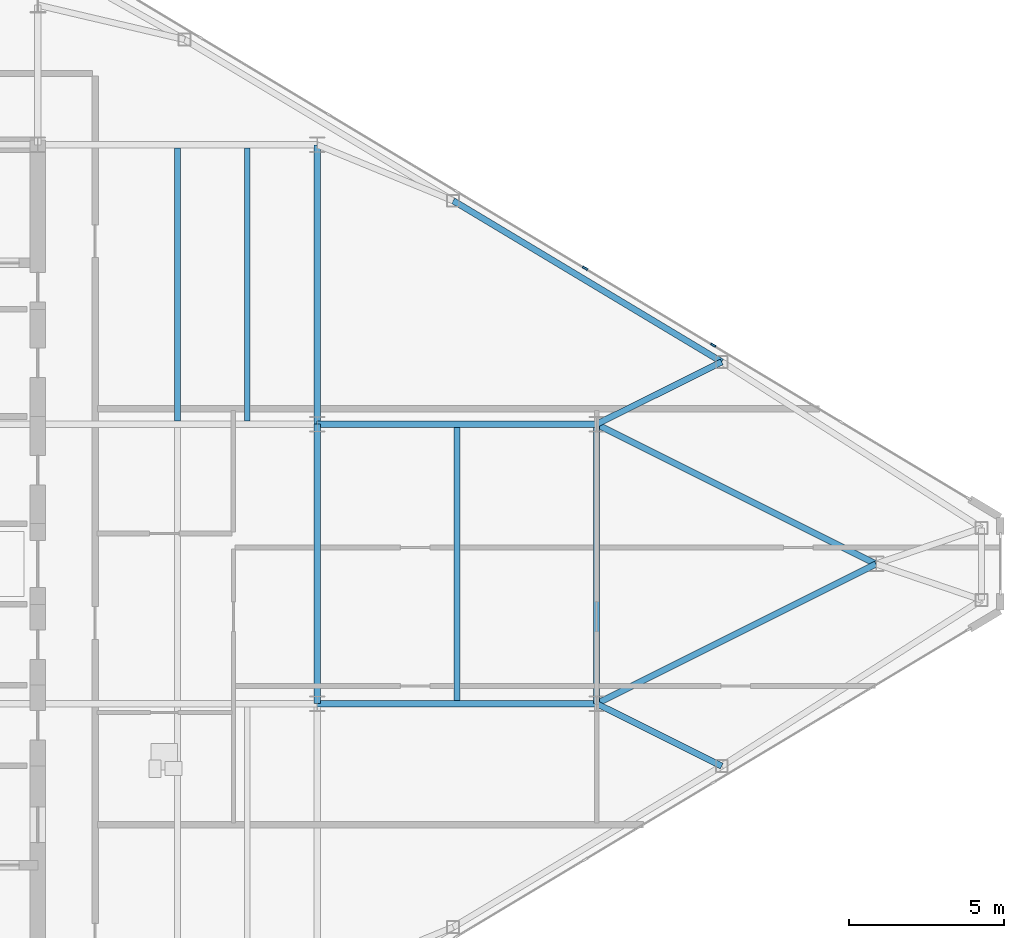
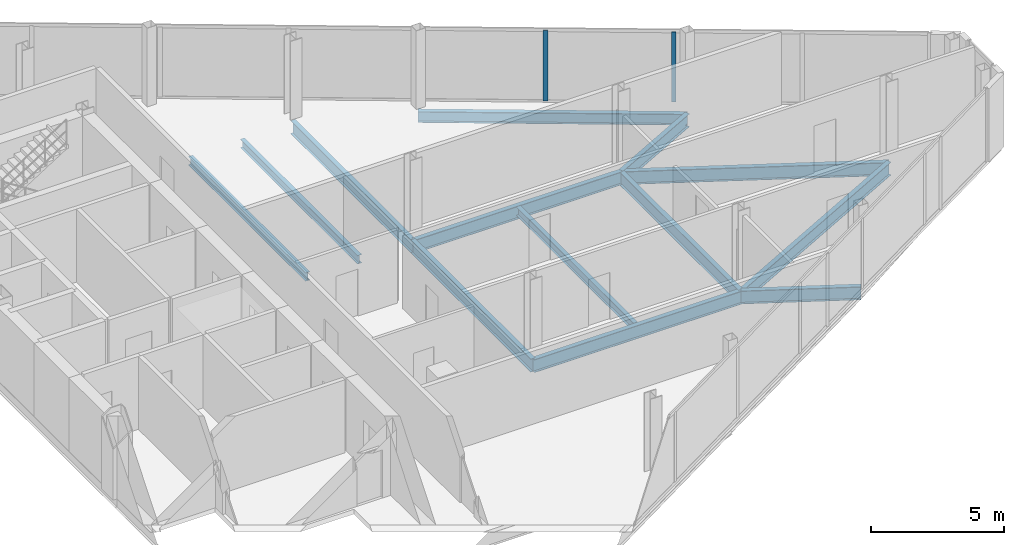
# One storey, part 14 of 26: 13 beams, 2 members, 1 element without a shape of its own.
"""IFC4 building model written with IfcOpenShell, lengths in metres."""

from ifc_helpers import new_model, si_unit, direction, frame, origin, origin_2d, place, context, subcontext, project, spatial, rectangle, i_section, extrude, source, transform, mapped, material, layer, layer_set, material_profile, profile_set, type_object, type_shapes, element, aggregate, save


model = new_model("IFC4")

# Units and contexts
model_context = context("Model", 3, precision=1e-05, world=origin(), true_north=direction((0.0, 1.0)))
body_context = subcontext(model_context, "Body", "Model", "MODEL_VIEW")
ifc_project = project(units=[si_unit("LENGTHUNIT", "METRE"), si_unit("AREAUNIT", "SQUARE_METRE"), si_unit("VOLUMEUNIT", "CUBIC_METRE"), si_unit("PLANEANGLEUNIT", "RADIAN"), si_unit("MASSUNIT", "GRAM", prefix="KILO")], contexts=[model_context])

# Site, building, storey
site_placement = place(None, origin())
site = spatial("IfcSite", under=ifc_project, at=site_placement, CompositionType="ELEMENT")
building_placement = place(site_placement, origin())
building = spatial("IfcBuilding", under=site, at=building_placement, Name="Seokmaru Belvedere", CompositionType="ELEMENT")
storey_placement = place(building_placement, frame((0.0, 0.0, 221.10009765625)))
storey = spatial("IfcBuildingStorey", under=building, at=storey_placement, Name="L59", CompositionType="ELEMENT", Elevation=221.10009765625)

# Beams
ifc_material_1 = material(Name="Steel SM355 (355 MPa)", Category="steel")
ifc_material_profile_1 = material_profile(ifc_material_1, i_section(OverallWidth=0.199951171875, OverallDepth=0.60009765625, WebThickness=0.010986328125, FlangeThickness=0.01708984375, at=origin_2d()), Name="H-600x200x11x17")
ifc_profile_set_1 = profile_set([ifc_material_profile_1], Name="Steel SM355 (355 MPa)")
beam_type_1 = type_object("IfcBeamType", Name="Primary Floor Girder H-600", PredefinedType="BEAM", material=ifc_profile_set_1)
shared_shape_1 = source(origin(), body_context, "Body", "SweptSolid", [
    extrude(i_section(OverallWidth=0.199951171875, OverallDepth=0.60009765625, WebThickness=0.010986328125, FlangeThickness=0.01708984375, at=origin_2d()), origin(), (0.0, 0.0, 1.0), 9.0),
])
for number, where, z_axis, x_axis, name in (
    (1, (45.5, -4.5, -0.52001953125), (0.0, 1.0, 0.0), (-1.0, 0.0, 0.0), "L59 E Interior Grid Girder 2"),
    (2, (45.5, 4.5, -0.52001953125), (0.0, 1.0, 0.0), (-1.0, 0.0, 0.0), "L59 E Interior Grid Girder 3"),
    (3, (45.5, -4.5, -0.52001953125), (1.0, 0.0, 0.0), (0.0, 1.0, 0.0), "L59 E Outer Wing Girder 1"),
    (4, (45.5, 4.5, -0.52001953125), (1.0, 0.0, 0.0), (0.0, 1.0, 0.0), "L59 E Outer Wing Girder 2"),
    (5, (54.5, -4.5, -0.52001953125), (0.0, 1.0, 0.0), (-1.0, 0.0, 0.0), "L59 E Apex Frame Girder"),
):
    element("IfcBeam", number, at=place(storey_placement, frame(where, z_axis=z_axis, x_axis=x_axis)), inside=storey, type_object=beam_type_1, Name=name, PredefinedType="BEAM", context=body_context, shape_type="MappedRepresentation", body=[
        mapped(shared_shape_1, transform((0.0, 0.0, 0.0), scale=1.0)),
    ])
shared_shape_2 = source(origin(), body_context, "Body", "SweptSolid", [
    extrude(i_section(OverallWidth=0.199951171875, OverallDepth=0.60009765625, WebThickness=0.010986328125, FlangeThickness=0.01708984375, at=origin_2d()), origin(), (0.0, 0.0, 1.0), 10.062255859375),
])
for number, where, z_axis, x_axis, name in (
    (6, (54.5, -4.5, -0.52001953125), (0.894427191, 0.4472135955, 0.0), (-0.4472135955, 0.894427191, 0.0), "L59 E Apex Converging Girder 1"),
    (7, (54.5, 4.5, -0.52001953125), (0.894427191, -0.4472135955, 0.0), (0.4472135955, 0.894427191, 0.0), "L59 E Apex Converging Girder 2"),
):
    element("IfcBeam", number, at=place(storey_placement, frame(where, z_axis=z_axis, x_axis=x_axis)), inside=storey, type_object=beam_type_1, Name=name, PredefinedType="BEAM", context=body_context, shape_type="MappedRepresentation", body=[
        mapped(shared_shape_2, transform((0.0, 0.0, 0.0), scale=1.0)),
    ])
ifc_material_profile_2 = material_profile(ifc_material_1, i_section(OverallWidth=0.18505859375, OverallDepth=0.389892578125, WebThickness=0.008056640625, FlangeThickness=0.011962890625, at=origin_2d()), Name="H-390x185x8x12")
ifc_profile_set_2 = profile_set([ifc_material_profile_2], Name="Steel SM355 (355 MPa)")
beam_type_2 = type_object("IfcBeamType", Name="Secondary Floor Joist H-350", PredefinedType="JOIST", material=ifc_profile_set_2)
shared_shape_3 = source(origin(), body_context, "Body", "SweptSolid", [
    extrude(i_section(OverallWidth=0.18505859375, OverallDepth=0.389892578125, WebThickness=0.008056640625, FlangeThickness=0.011962890625, at=origin_2d()), origin(), (0.0, 0.0, 1.0), 8.7900390625),
])
type_shapes(beam_type_2, [shared_shape_3])
for number, where, z_axis, x_axis, name in (
    (8, (43.25, 4.60498046875, -0.4150390625), (0.0, 1.0, 0.0), (-1.0, 0.0, 0.0), "L59 E Wing Inner Secondary Joist 2"),
    (9, (41.0, 4.60498046875, -0.4150390625), (0.0, 1.0, 0.0), (-1.0, 0.0, 0.0), "L59 E Secondary Floor Joist 3"),
    (10, (50.0, -4.39501953125, -0.4150390625), (0.0, 1.0, 0.0), (-1.0, 0.0, 0.0), "L59 E Outer Bay Secondary Joist"),
):
    element("IfcBeam", number, at=place(storey_placement, frame(where, z_axis=z_axis, x_axis=x_axis)), inside=storey, type_object=beam_type_2, Name=name, PredefinedType="JOIST", context=body_context, shape_type="MappedRepresentation", body=[
        mapped(shared_shape_3, transform((0.0, 0.0, 0.0), scale=1.0)),
    ])
ifc_material_profile_3 = material_profile(ifc_material_1, i_section(OverallWidth=0.199951171875, OverallDepth=0.5, WebThickness=0.010009765625, FlangeThickness=0.01611328125, at=origin_2d()), Name="H-500x200x10x16")
ifc_profile_set_3 = profile_set([ifc_material_profile_3], Name="Steel SM355 (355 MPa)")
beam_type_3 = type_object("IfcBeamType", Name="Perimeter Spandrel Beam H-500", PredefinedType="SPANDREL", material=ifc_profile_set_3)
shared_shape_4 = source(origin(), body_context, "Body", "SweptSolid", [
    extrude(i_section(OverallWidth=0.199951171875, OverallDepth=0.5, WebThickness=0.010009765625, FlangeThickness=0.01611328125, at=origin_2d()), origin(), (0.0, 0.0, 1.0), 10.087646484375),
])
type_shapes(beam_type_3, [shared_shape_4])
beam_placement = place(storey_placement, frame((49.8798828125, 11.698974609375, -0.47021484375), z_axis=(0.857488654804, -0.514502873542, 0.0), x_axis=(0.514502873542, 0.857488654804, 0.0)))
element("IfcBeam", 11, at=beam_placement, inside=storey, type_object=beam_type_3, Name="L59 E Faceted Flank Spandrel N-3", PredefinedType="SPANDREL", context=body_context, shape_type="MappedRepresentation", body=[
    mapped(shared_shape_4, transform((0.0, 0.0, 0.0), scale=1.0)),
])
shared_shape_5 = source(origin(), body_context, "Body", "SweptSolid", [
    extrude(i_section(OverallWidth=0.199951171875, OverallDepth=0.60009765625, WebThickness=0.010986328125, FlangeThickness=0.01708984375, at=origin_2d()), origin(), (0.0, 0.0, 1.0), 4.5029296875),
])
type_shapes(beam_type_1, [shared_shape_1, shared_shape_2, shared_shape_5])
for number, where, z_axis, x_axis, name in (
    (12, (58.530029296875, -6.5087890625, -0.52001953125), (-0.894979532585, 0.446107202648, 0.0), (-0.446107202648, -0.894979532585, 0.0), "L59 E Flank Radial Floor Girder S-3"),
    (13, (58.530029296875, 6.5087890625, -0.52001953125), (-0.894979532585, -0.446107202648, 0.0), (0.446107202648, -0.894979532585, 0.0), "L59 E Flank Radial Floor Girder N-3"),
):
    element("IfcBeam", number, at=place(storey_placement, frame(where, z_axis=z_axis, x_axis=x_axis)), inside=storey, type_object=beam_type_1, Name=name, PredefinedType="BEAM", context=body_context, shape_type="MappedRepresentation", body=[
        mapped(shared_shape_5, transform((0.0, 0.0, 0.0), scale=1.0)),
    ])

# Curtain wall, members
ifc_material_2 = material(Name="Bronze Triple Insulating Glass", Category="glass")
ifc_layer = layer(ifc_material_2, 0.179931640625)
ifc_layer_set = layer_set([ifc_layer], Name="Bronze Triple Insulating Glass")
curtain_wall_type = type_object("IfcCurtainWallType", Name="High-Rise Wind-Corner Curtain Wall System CW-5", PredefinedType="NOTDEFINED", material=ifc_layer_set)
curtain_wall_placement = place(storey_placement, origin())
curtain_wall = element("IfcCurtainWall", 14, at=curtain_wall_placement, inside=storey, type_object=curtain_wall_type, Name="L59 Curtain Wall EF3", PredefinedType="NOTDEFINED")
ifc_material_3 = material(Name="Anodised Bronze Aluminium", Category="aluminium")
ifc_material_profile_4 = material_profile(ifc_material_3, rectangle(XDim=0.06494140625, YDim=0.179931640625, at=origin_2d()), Name="CW-M-65x180")
ifc_profile_set_4 = profile_set([ifc_material_profile_4], Name="Anodised Bronze Aluminium")
member_type = type_object("IfcMemberType", Name="Bronze Unitised Mullion 65x180", PredefinedType="MULLION", material=ifc_profile_set_4)
shared_shape_6 = source(origin(), body_context, "Body", "SweptSolid", [
    extrude(rectangle(XDim=0.06494140625, YDim=0.179931640625, at=origin_2d()), origin(), (0.0, 0.0, 1.0), 3.2099609375),
])
type_shapes(member_type, [shared_shape_6])
member_1_placement = place(storey_placement, frame((58.257080078125, 7.0458984375, 0.06494140625), z_axis=(0.0, 0.0, 1.0), x_axis=(-0.514494909364, -0.85749343335, 0.0)))
member_1 = element("IfcMember", 15, at=member_1_placement, type_object=member_type, Name="CW:L59:EF3 Mullion 3", PredefinedType="MULLION", context=body_context, shape_type="MappedRepresentation", body=[
    mapped(shared_shape_6, transform((0.0, 0.0, 0.0), scale=1.0)),
])
member_2_placement = place(storey_placement, frame((54.12841796875, 9.52294921875, 0.06494140625), z_axis=(0.0, 0.0, 1.0), x_axis=(-0.514494909364, -0.85749343335, 0.0)))
member_2 = element("IfcMember", 16, at=member_2_placement, type_object=member_type, Name="CW:L59:EF3 Mullion 4", PredefinedType="MULLION", context=body_context, shape_type="MappedRepresentation", body=[
    mapped(shared_shape_6, transform((0.0, 0.0, 0.0), scale=1.0)),
])
aggregate(curtain_wall, [member_1, member_2])

save(model, "model.ifc")
